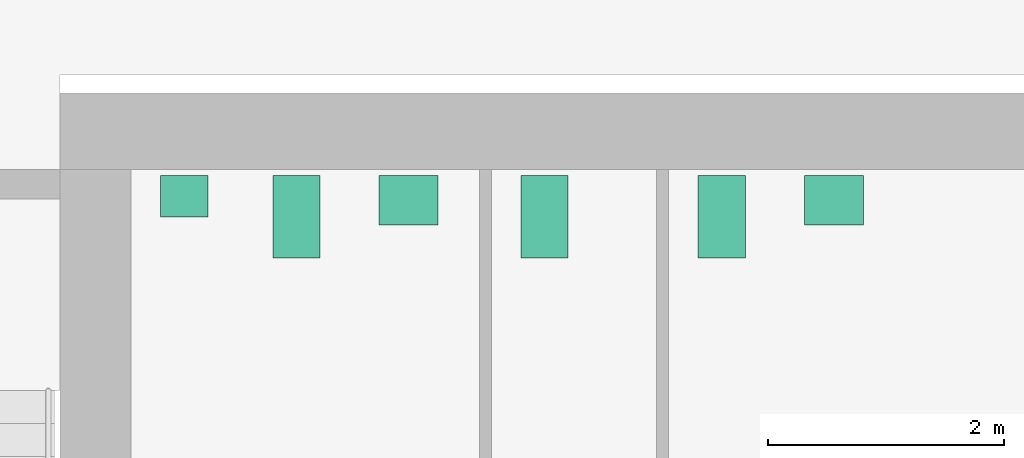
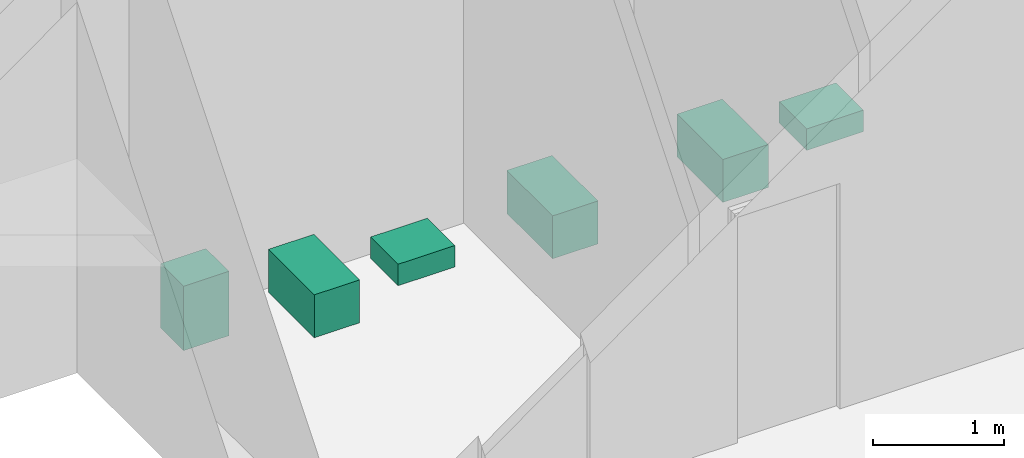
# One storey, part 28 of 29: 6 sanitary terminals.
"""IFC4 building model written with IfcOpenShell, lengths in metres."""

import ifcopenshell
import ifcopenshell.guid

model = None  # the IFC model being written
_history = None  # IfcOwnerHistory: only IFC2X3 demands one
_inside = {}  # id of a spatial element -> (the spatial element, [elements in it])
_under = {}  # id of a project, library or spatial element -> (it, [spatial elements below it])
_declared = {}  # id of a project -> (the project, [libraries it declares])
_typed = {}  # id of a type object -> (the type object, [elements of that type])
_made_of = {}  # id of a material, layer set ... -> (it, [elements and type objects made of it])


def new_model(schema):
    """Start an empty IFC model of exactly this schema.

    Asked for "IFC4X3", IfcOpenShell would pick the latest addendum, in which some entities
    have other attributes; the version numbers below select the first issue.
    IFC2X3 requires an IfcOwnerHistory on every rooted entity: one is made here for all.
    """
    global model, _history
    if schema == "IFC4X3":
        model = ifcopenshell.file(schema_version=(4, 3, 0, 0))
    else:
        model = ifcopenshell.file(schema=schema)
    _inside.clear()
    _under.clear()
    _declared.clear()
    _typed.clear()
    _made_of.clear()
    _history = None
    if model.schema == "IFC2X3":
        org = make("IfcOrganization", Name="unknown")
        user = make(
            "IfcPersonAndOrganization",
            ThePerson=make("IfcPerson", FamilyName="unknown"),
            TheOrganization=org,
        )
        app = make(
            "IfcApplication",
            ApplicationDeveloper=org,
            Version="unknown",
            ApplicationFullName="unknown",
            ApplicationIdentifier="unknown",
        )
        _history = make(
            "IfcOwnerHistory",
            OwningUser=user,
            OwningApplication=app,
            ChangeAction="ADDED",
            CreationDate=0,
        )
    return model


def make(cls, **values):
    """One entity of the class cls with the attributes given. An attribute that is None is left unset."""
    return model.create_entity(
        cls, **{name: value for name, value in values.items() if value is not None}
    )


def rooted(cls, **values):
    """An entity with a GlobalId (a new one), such as an element, a storey or a relation."""
    return make(cls, GlobalId=ifcopenshell.guid.new(), OwnerHistory=_history, **values)


def si_unit(unit_type, name, prefix=None):
    """IfcSIUnit, for example si_unit("LENGTHUNIT", "METRE", prefix="MILLI")."""
    return make("IfcSIUnit", UnitType=unit_type, Prefix=prefix, Name=name)


def assignment(units):
    """IfcUnitAssignment: the units of a project."""
    return None if units is None else make("IfcUnitAssignment", Units=units)


def point(xyz):
    """IfcCartesianPoint."""
    return None if xyz is None else make("IfcCartesianPoint", Coordinates=xyz)


def direction(xyz):
    """IfcDirection."""
    return None if xyz is None else make("IfcDirection", DirectionRatios=xyz)


def frame(location, z_axis=None, x_axis=None):
    """IfcAxis2Placement3D, a coordinate frame: its origin and axes. An axis left out is left unset."""
    return make(
        "IfcAxis2Placement3D",
        Location=point(location),
        Axis=direction(z_axis),
        RefDirection=direction(x_axis),
    )


def frame_2d(location, x_axis=None):
    """IfcAxis2Placement2D, a coordinate frame in the plane: its origin and x axis."""
    return make(
        "IfcAxis2Placement2D", Location=point(location), RefDirection=direction(x_axis)
    )


def origin():
    """The frame at (0, 0, 0) with its axes left unset."""
    return frame((0.0, 0.0, 0.0))


def origin_2d():
    """The frame at (0, 0) in the plane with its x axis left unset."""
    return frame_2d((0.0, 0.0))


def place(relative_to, where):
    """IfcLocalPlacement: puts the frame where relative to a parent placement (None: the world)."""
    return make(
        "IfcLocalPlacement", PlacementRelTo=relative_to, RelativePlacement=where
    )


def context(
    kind, dimensions, precision=None, world=None, true_north=None, identifier=None
):
    """IfcGeometricRepresentationContext, for example the 3D "Model" context."""
    return make(
        "IfcGeometricRepresentationContext",
        ContextIdentifier=identifier,
        ContextType=kind,
        CoordinateSpaceDimension=dimensions,
        Precision=precision,
        WorldCoordinateSystem=world,
        TrueNorth=true_north,
    )


def subcontext(parent, identifier, kind, view, scale=None):
    """IfcGeometricRepresentationSubContext, for example "Body" below "Model"."""
    return make(
        "IfcGeometricRepresentationSubContext",
        ContextIdentifier=identifier,
        ContextType=kind,
        ParentContext=parent,
        TargetScale=scale,
        TargetView=view,
    )


def project(units=None, contexts=None):
    """IfcProject with its units and contexts."""
    return rooted(
        "IfcProject",
        Name="project",
        RepresentationContexts=contexts,
        UnitsInContext=assignment(units),
    )


def spatial(cls, under=None, at=None, **own):
    """A site, building, storey or space (cls), placed at a placement, below another one or the project."""
    s = rooted(cls, ObjectPlacement=at, **own)
    if under is not None:
        _under.setdefault(under.id(), (under, []))[1].append(s)
    return s


def profile(cls, at=None, kind="AREA", **sizes):
    """A parametric profile (cls). Its sizes go by their IFC names, for example OverallWidth=200.0."""
    return make(cls, ProfileType=kind, Position=at, **sizes)


def rectangle(**sizes):
    """IfcRectangleProfileDef."""
    return profile("IfcRectangleProfileDef", **sizes)


def extrude(swept, where, along, depth):
    """IfcExtrudedAreaSolid: the profile swept, set in the frame where, extruded along a direction by depth."""
    return make(
        "IfcExtrudedAreaSolid",
        SweptArea=swept,
        Position=where,
        ExtrudedDirection=direction(along),
        Depth=depth,
    )


def shape(context_of_items, identifier, shape_type, items):
    """IfcShapeRepresentation: the items that make up one representation, for example the "Body"."""
    return make(
        "IfcShapeRepresentation",
        ContextOfItems=context_of_items,
        RepresentationIdentifier=identifier,
        RepresentationType=shape_type,
        Items=items,
    )


def material(Name=None, Category=None):
    """IfcMaterial."""
    return make("IfcMaterial", Name=Name, Category=Category)


def made_of(thing, what):
    """Note that an element or type object is made of a material, layer set ...; save() writes the relation."""
    if what is not None:
        _made_of.setdefault(what.id(), (what, []))[1].append(thing)
    return thing


def type_object(cls, material=None, **own):
    """A type object (cls), such as IfcWallType, which elements share."""
    return made_of(rooted(cls, **own), material)


def element(
    cls,
    number,
    at=None,
    inside=None,
    cuts=None,
    type_object=None,
    material=None,
    context=None,
    identifier="Body",
    shape_type=None,
    held_by="IfcProductDefinitionShape",
    body=None,
    shapes=None,
    **own,
):
    """One element of the class cls, such as IfcWall. Its Tag is "e" and its number.

    at: its placement. inside: the storey or other place that contains it. cuts: it is an
    opening in that element (IfcRelVoidsElement). A single representation is given by context,
    identifier, shape_type and body (its items); several are given by shapes. held_by: the class
    of the entity that holds the representations. save() writes the other relations.
    """
    e = rooted(cls, Tag="e%d" % number, ObjectPlacement=at, **own)
    if body is not None:
        shapes = [shape(context, identifier, shape_type, body)]
    if shapes is not None:
        e.Representation = make(held_by, Representations=shapes)
    if inside is not None:
        _inside.setdefault(inside.id(), (inside, []))[1].append(e)
    if cuts is not None:
        rooted(
            "IfcRelVoidsElement", RelatingBuildingElement=cuts, RelatedOpeningElement=e
        )
    if type_object is not None:
        _typed.setdefault(type_object.id(), (type_object, []))[1].append(e)
    return made_of(e, material)


def aggregate(whole, parts):
    """IfcRelAggregates: a whole, such as a stair, and the parts it consists of."""
    return rooted("IfcRelAggregates", RelatingObject=whole, RelatedObjects=parts)


def save(model, path):
    """Write the relations noted so far, then the file.

    IfcRelAggregates (storeys below a building ...), IfcRelContainedInSpatialStructure (elements
    in a storey), IfcRelDefinesByType, IfcRelAssociatesMaterial and IfcRelDeclares: one each for
    every whole, place, type object, material and project.
    """
    for whole, parts in _under.values():
        aggregate(whole, parts)
    for where, things in _inside.values():
        rooted(
            "IfcRelContainedInSpatialStructure",
            RelatedElements=things,
            RelatingStructure=where,
        )
    for kind, things in _typed.values():
        rooted("IfcRelDefinesByType", RelatedObjects=things, RelatingType=kind)
    for what, things in _made_of.values():
        rooted("IfcRelAssociatesMaterial", RelatedObjects=things, RelatingMaterial=what)
    for by, libraries in _declared.values():
        rooted("IfcRelDeclares", RelatingContext=by, RelatedDefinitions=libraries)
    model.write(path)


model = new_model("IFC4")

# Units and contexts
model_context = context("Model", 3, precision=1e-05, world=origin(), true_north=direction((0.0, 1.0)))
body_context = subcontext(model_context, "Body", "Model", "MODEL_VIEW")
ifc_project = project(units=[si_unit("LENGTHUNIT", "METRE"), si_unit("AREAUNIT", "SQUARE_METRE"), si_unit("VOLUMEUNIT", "CUBIC_METRE"), si_unit("PLANEANGLEUNIT", "RADIAN"), si_unit("MASSUNIT", "GRAM", prefix="KILO")], contexts=[model_context])

# Site, building, storey
site_placement = place(None, origin())
site = spatial("IfcSite", under=ifc_project, at=site_placement, CompositionType="ELEMENT")
building_placement = place(site_placement, origin())
building = spatial("IfcBuilding", under=site, at=building_placement, Name="Cinnabar Reach Civic Tower", CompositionType="ELEMENT")
storey_placement = place(building_placement, frame((0.0, 0.0, 149.0)))
storey = spatial("IfcBuildingStorey", under=building, at=storey_placement, Name="L35", CompositionType="ELEMENT", Elevation=149.0)

# Sanitary terminals
ifc_material = material(Name="Vitreous china")
sanitary_terminal_type_1 = type_object("IfcSanitaryTerminalType", Name="T1 WC pan", PredefinedType="TOILETPAN", material=ifc_material)
for number, where, z_axis, x_axis, name in (
    (1, (5.9, 41.6, 0.0), (0.0, 0.0, 1.0), (1.0, 0.0, 0.0), "T1 WC pan 3507-2"),
    (2, (8.0, 41.6, 0.0), (0.0, 0.0, 1.0), (1.0, 0.0, 0.0), "T1 WC pan 3508-1"),
    (3, (9.5, 41.6, 0.0), (0.0, 0.0, 1.0), (1.0, 0.0, 0.0), "T1 WC pan 3509-1"),
):
    element("IfcSanitaryTerminal", number, at=place(storey_placement, frame(where, z_axis=z_axis, x_axis=x_axis)), inside=storey, type_object=sanitary_terminal_type_1, Name=name, PredefinedType="TOILETPAN", context=body_context, shape_type="SweptSolid", body=[
        extrude(rectangle(XDim=0.4, YDim=0.7, at=origin_2d()), origin(), (0.0, 0.0, 1.0), 0.4),
    ])
sanitary_terminal_type_2 = type_object("IfcSanitaryTerminalType", Name="T1 urinal", PredefinedType="URINAL", material=ifc_material)
sanitary_terminal_placement = place(storey_placement, frame((4.95, 41.775, 0.0), z_axis=(0.0, 0.0, 1.0), x_axis=(1.0, 0.0, 0.0)))
element("IfcSanitaryTerminal", 4, at=sanitary_terminal_placement, inside=storey, type_object=sanitary_terminal_type_2, Name="T1 urinal 3507-1", PredefinedType="URINAL", context=body_context, shape_type="SweptSolid", body=[
    extrude(rectangle(XDim=0.4, YDim=0.35, at=origin_2d()), origin(), (0.0, 0.0, 1.0), 0.6),
])
sanitary_terminal_type_3 = type_object("IfcSanitaryTerminalType", Name="T1 wash basin", PredefinedType="WASHHANDBASIN", material=ifc_material)
for number, where, z_axis, x_axis, name in (
    (5, (6.85, 41.74, 0.0), (0.0, 0.0, 1.0), (1.0, 0.0, 0.0), "T1 wash basin 3507-3"),
    (6, (10.45, 41.74, 0.0), (0.0, 0.0, 1.0), (1.0, 0.0, 0.0), "T1 wash basin 3509-2"),
):
    element("IfcSanitaryTerminal", number, at=place(storey_placement, frame(where, z_axis=z_axis, x_axis=x_axis)), inside=storey, type_object=sanitary_terminal_type_3, Name=name, PredefinedType="WASHHANDBASIN", context=body_context, shape_type="SweptSolid", body=[
        extrude(rectangle(XDim=0.5, YDim=0.42, at=origin_2d()), origin(), (0.0, 0.0, 1.0), 0.2),
    ])

save(model, "model.ifc")
